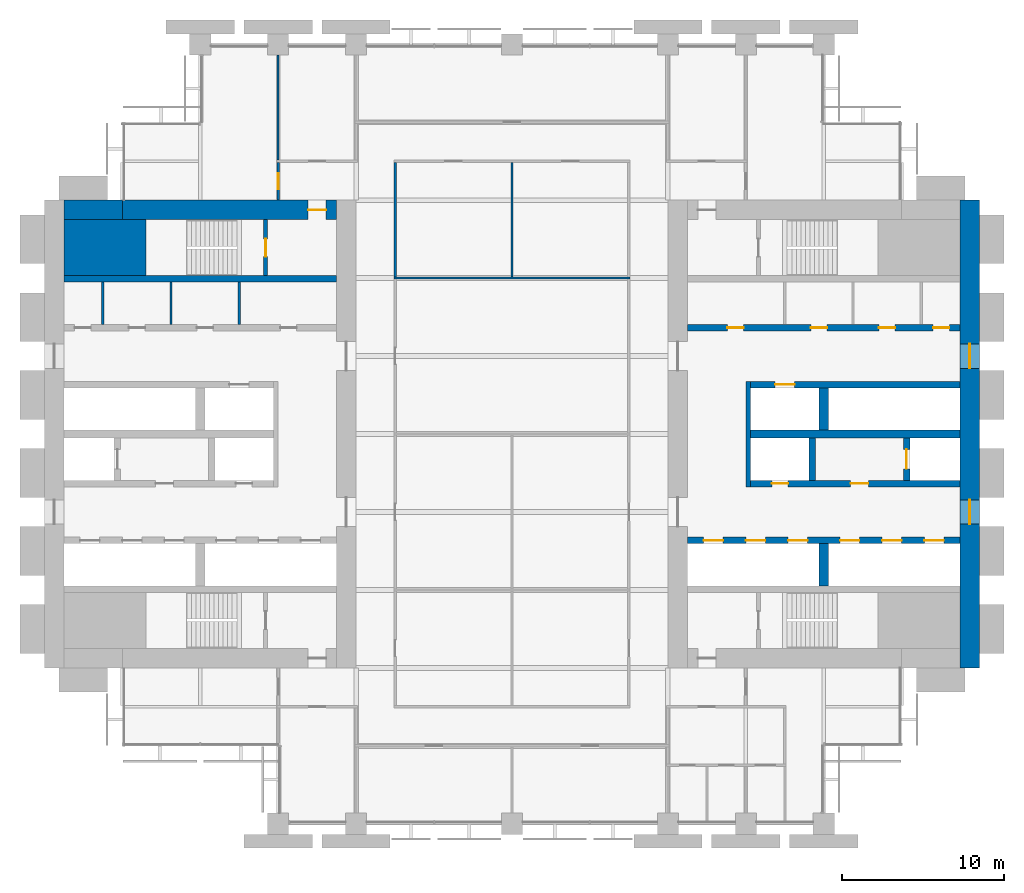
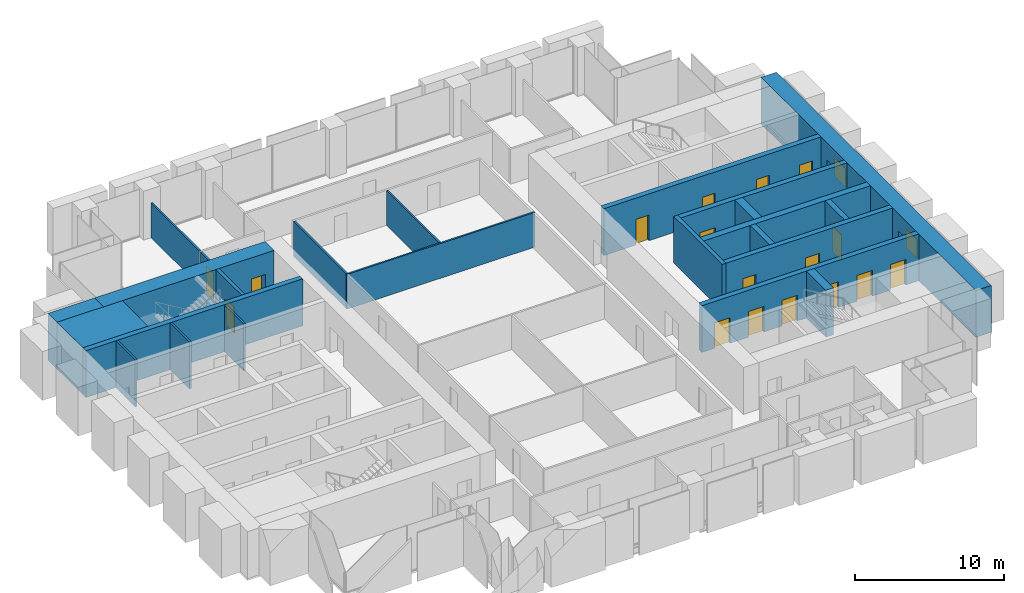
# One storey, part 11 of 14: 24 walls, 17 doors, 2 windows, 19 openings.
"""IFC4 building model written with IfcOpenShell, lengths in metres."""

from ifc_helpers import new_model, si_unit, direction, frame, frame_2d, origin, place, context, subcontext, project, spatial, rectangle, extrude, material, layer, layer_set, type_object, element, fill, save


model = new_model("IFC4")

# Units and contexts
model_context = context("Model", 3, precision=1e-05, world=origin(), true_north=direction((0.0, 1.0)))
body_context = subcontext(model_context, "Body", "Model", "MODEL_VIEW")
ifc_project = project(units=[si_unit("LENGTHUNIT", "METRE"), si_unit("AREAUNIT", "SQUARE_METRE"), si_unit("VOLUMEUNIT", "CUBIC_METRE"), si_unit("PLANEANGLEUNIT", "RADIAN"), si_unit("MASSUNIT", "GRAM", prefix="KILO")], contexts=[model_context])

# Site, building, storey
site_placement = place(None, origin())
site = spatial("IfcSite", under=ifc_project, at=site_placement, CompositionType="ELEMENT")
building_placement = place(site_placement, origin())
building = spatial("IfcBuilding", under=site, at=building_placement, Name="Baori Bourse Tower", CompositionType="ELEMENT")
storey_placement = place(building_placement, frame((0.0, 0.0, 43.0)))
storey = spatial("IfcBuildingStorey", under=building, at=storey_placement, Name="L08", CompositionType="ELEMENT", Elevation=43.0)

# Walls
ifc_material_1 = material(Name="Concrete f'c 70 MPa", Category="concrete")
wall_type_1 = type_object("IfcWallType", Name="Core corner block f'c 70", PredefinedType="SHEAR", material=ifc_material_1)
wall_1_placement = place(storey_placement, frame((1.199951171875, 35.47509765625, 0.0), z_axis=(0.0, 0.0, 1.0), x_axis=(1.0, 0.0, 0.0)))
element("IfcWall", 1, at=wall_1_placement, inside=storey, type_object=wall_type_1, Name="Core wall W22", PredefinedType="SHEAR", context=body_context, shape_type="SweptSolid", body=[
    extrude(rectangle(XDim=5.050048828125, YDim=3.449951171875, at=frame_2d((2.52490234375, 0.0))), origin(), (0.0, 0.0, 1.0), 3.840087890625),
])
ifc_material_2 = material(Name="Blockwork partition", Category="masonry")
ifc_layer_1 = layer(ifc_material_2, 0.14990234375)
ifc_layer_set_1 = layer_set([ifc_layer_1], Name="Core partition 150")
wall_type_2 = type_object("IfcWallType", Name="Core partition 150", PredefinedType="PARTITIONING", material=ifc_layer_set_1)
for number, where, z_axis, x_axis, name in (
    (2, (3.60009765625, 30.75, 0.0), (0.0, 0.0, 1.0), (0.0, 1.0, 0.0), "Partition wall W18"),
    (3, (7.800048828125, 30.75, 0.0), (0.0, 0.0, 1.0), (0.0, 1.0, 0.0), "Partition wall W19"),
    (4, (12.0, 30.75, 0.0), (0.0, 0.0, 1.0), (0.0, 1.0, 0.0), "Partition wall W20"),
):
    element("IfcWall", number, at=place(storey_placement, frame(where, z_axis=z_axis, x_axis=x_axis)), inside=storey, type_object=wall_type_2, Name=name, PredefinedType="PARTITIONING", context=body_context, shape_type="SweptSolid", body=[
        extrude(rectangle(XDim=2.60009765625, YDim=0.14990234375, at=frame_2d((1.300048828125, 0.0))), origin(), (0.0, 0.0, 1.0), 3.840087890625),
    ])
ifc_material_3 = material(Name="Concrete f'c 70 MPa", Category="concrete")
ifc_layer_2 = layer(ifc_material_3, 1.199951171875)
ifc_layer_set_2 = layer_set([ifc_layer_2], Name="Core wall 1200 f'c 70")
wall_type_3 = type_object("IfcWallType", Name="Core wall 1200 f'c 70", PredefinedType="SHEAR", material=ifc_layer_set_2)
wall_2_placement = place(storey_placement, frame((1.199951171875, 37.800048828125, 0.0), z_axis=(0.0, 0.0, 1.0), x_axis=(1.0, 0.0, 0.0)))
element("IfcWall", 5, at=wall_2_placement, inside=storey, type_object=wall_type_3, Name="Core wall W24", PredefinedType="SHEAR", context=body_context, shape_type="SweptSolid", body=[
    extrude(rectangle(XDim=3.60009765625, YDim=1.199951171875, at=frame_2d((1.800048828125, 0.0))), origin(), (0.0, 0.0, 1.0), 3.840087890625),
])

# Wall, opening, door
wall_3_placement = place(storey_placement, frame((4.800048828125, 37.800048828125, 0.0), z_axis=(0.0, 0.0, 1.0), x_axis=(1.0, 0.0, 0.0)))
wall_3 = element("IfcWall", 6, at=wall_3_placement, inside=storey, type_object=wall_type_3, Name="Core wall W25", PredefinedType="SHEAR", context=body_context, shape_type="SweptSolid", body=[
    extrude(rectangle(XDim=13.199951171875, YDim=1.199951171875, at=frame_2d((6.60009765625, 0.0))), origin(), (0.0, 0.0, 1.0), 3.840087890625),
])
opening_1_placement = place(wall_3_placement, frame((11.449951171875, 0.0, 0.0)))
opening_1 = element("IfcOpeningElement", 7, at=opening_1_placement, cuts=wall_3, Name="Opening L08-D104", PredefinedType="OPENING", context=body_context, shape_type="SweptSolid", body=[
    extrude(rectangle(XDim=1.10009765625, YDim=2.10009765625, at=frame_2d((0.550048828125, 1.050048828125))), frame((0.0, 0.60986328125, 0.0), z_axis=(0.0, -1.0, 0.0), x_axis=(1.0, 0.0, 0.0)), (0.0, 0.0, 1.0), 1.219970703125),
])
ifc_material_4 = material(Name="Painted steel door", Category="steel")
door_type_1 = type_object("IfcDoorType", Name="Stair door 1100", OperationType="SINGLE_SWING_LEFT", PredefinedType="DOOR", material=ifc_material_4)
door_1_placement = place(opening_1_placement, origin())
door_1 = element("IfcDoor", 8, at=door_1_placement, inside=storey, type_object=door_type_1, Name="Stair vestibule door B W L08", OperationType="SINGLE_SWING_LEFT", OverallHeight=2.10009765625, OverallWidth=1.10009765625, PredefinedType="DOOR", context=body_context, shape_type="SweptSolid", body=[
    extrude(rectangle(XDim=1.10009765625, YDim=2.10009765625, at=frame_2d((0.550048828125, 1.050048828125))), frame((0.0, 0.02490234375, 0.0), z_axis=(0.0, -1.0, 0.0), x_axis=(1.0, 0.0, 0.0)), (0.0, 0.0, 1.0), 0.050048828125),
])
fill(opening_1, door_1)

# Wall, openings, windows
wall_4_placement = place(storey_placement, frame((57.0, 38.39990234375, 0.0), z_axis=(0.0, 0.0, 1.0), x_axis=(0.0, -1.0, 0.0)))
wall_4 = element("IfcWall", 9, at=wall_4_placement, inside=storey, type_object=wall_type_3, Name="Core wall E01", PredefinedType="SHEAR", context=body_context, shape_type="SweptSolid", body=[
    extrude(rectangle(XDim=28.7998046875, YDim=1.199951171875, at=frame_2d((14.39990234375, 0.0))), origin(), (0.0, 0.0, 1.0), 3.840087890625),
])
opening_2_placement = place(wall_4_placement, frame((18.449951171875, 0.0, 0.89990234375)))
opening_2 = element("IfcOpeningElement", 10, at=opening_2_placement, cuts=wall_4, Name="Opening L08-KW201", PredefinedType="OPENING", context=body_context, shape_type="SweptSolid", body=[
    extrude(rectangle(XDim=1.5, YDim=1.5, at=frame_2d((0.75, 0.75))), frame((0.0, 0.60986328125, 0.0), z_axis=(0.0, -1.0, 0.0), x_axis=(1.0, 0.0, 0.0)), (0.0, 0.0, 1.0), 1.219970703125),
])
opening_3_placement = place(wall_4_placement, frame((8.85009765625, 0.0, 0.89990234375)))
opening_3 = element("IfcOpeningElement", 11, at=opening_3_placement, cuts=wall_4, Name="Opening L08-KW202", PredefinedType="OPENING", context=body_context, shape_type="SweptSolid", body=[
    extrude(rectangle(XDim=1.5, YDim=1.5, at=frame_2d((0.75, 0.75))), frame((0.0, 0.60986328125, 0.0), z_axis=(0.0, -1.0, 0.0), x_axis=(1.0, 0.0, 0.0)), (0.0, 0.0, 1.0), 1.219970703125),
])
ifc_material_5 = material(Name="Pale anodised aluminium", Category="aluminium")
window_type = type_object("IfcWindowType", Name="Lobby window 1500 x 1500", PartitioningType="SINGLE_PANEL", PredefinedType="WINDOW", material=ifc_material_5)
window_1_placement = place(opening_2_placement, origin())
window_1 = element("IfcWindow", 12, at=window_1_placement, inside=storey, type_object=window_type, Name="Outer wall window E L08 1", OverallHeight=1.5, OverallWidth=1.5, PartitioningType="SINGLE_PANEL", PredefinedType="WINDOW", context=body_context, shape_type="SweptSolid", body=[
    extrude(rectangle(XDim=1.5, YDim=1.5, at=frame_2d((0.75, 0.75))), frame((0.0, 0.030029296875, 0.0), z_axis=(0.0, -1.0, 0.0), x_axis=(1.0, 0.0, 0.0)), (0.0, 0.0, 1.0), 0.06005859375),
])
fill(opening_2, window_1)
window_2_placement = place(opening_3_placement, origin())
window_2 = element("IfcWindow", 13, at=window_2_placement, inside=storey, type_object=window_type, Name="Outer wall window E L08 2", OverallHeight=1.5, OverallWidth=1.5, PartitioningType="SINGLE_PANEL", PredefinedType="WINDOW", context=body_context, shape_type="SweptSolid", body=[
    extrude(rectangle(XDim=1.5, YDim=1.5, at=frame_2d((0.75, 0.75))), frame((0.0, 0.030029296875, 0.0), z_axis=(0.0, -1.0, 0.0), x_axis=(1.0, 0.0, 0.0)), (0.0, 0.0, 1.0), 0.06005859375),
])
fill(opening_3, window_2)

# Wall, opening, door
ifc_material_6 = material(Name="Gypsum board partition")
ifc_layer_3 = layer(ifc_material_6, 0.14990234375)
ifc_layer_set_3 = layer_set([ifc_layer_3], Name="Corridor partition 150")
wall_type_4 = type_object("IfcWallType", Name="Corridor partition 150", PredefinedType="PARTITIONING", material=ifc_layer_set_3)
wall_5_placement = place(storey_placement, frame((14.39990234375, 38.39990234375, 0.0), z_axis=(0.0, 0.0, 1.0), x_axis=(0.0, 1.0, 0.0)))
wall_5 = element("IfcWall", 14, at=wall_5_placement, inside=storey, type_object=wall_type_4, Name="Partition", PredefinedType="PARTITIONING", context=body_context, shape_type="SweptSolid", body=[
    extrude(rectangle(XDim=2.3251953125, YDim=0.14990234375, at=frame_2d((1.16259765625, 0.0))), origin(), (0.0, 0.0, 1.0), 2.849365234375),
])
opening_4_placement = place(wall_5_placement, frame((0.66259765625, 0.0, 0.0)))
opening_4 = element("IfcOpeningElement", 15, at=opening_4_placement, cuts=wall_5, Name="Opening L08-D14", PredefinedType="OPENING", context=body_context, shape_type="SweptSolid", body=[
    extrude(rectangle(XDim=1.0, YDim=2.10009765625, at=frame_2d((0.5, 1.050048828125))), frame((0.0, 0.0849609375, 0.0), z_axis=(0.0, -1.0, 0.0), x_axis=(1.0, 0.0, 0.0)), (0.0, 0.0, 1.0), 0.169921875),
])
ifc_material_7 = material(Name="Timber door leaf", Category="wood")
door_type_2 = type_object("IfcDoorType", Name="Door 1000 x 2100", OperationType="SINGLE_SWING_LEFT", PredefinedType="DOOR", material=ifc_material_7)
door_2_placement = place(opening_4_placement, origin())
door_2 = element("IfcDoor", 16, at=door_2_placement, inside=storey, type_object=door_type_2, Name="Door", OperationType="SINGLE_SWING_RIGHT", OverallHeight=2.10009765625, OverallWidth=1.0, PredefinedType="DOOR", context=body_context, shape_type="SweptSolid", body=[
    extrude(rectangle(XDim=1.0, YDim=2.10009765625, at=frame_2d((0.5, 1.050048828125))), frame((0.0, 0.02490234375, 0.0), z_axis=(0.0, -1.0, 0.0), x_axis=(1.0, 0.0, 0.0)), (0.0, 0.0, 1.0), 0.050048828125),
])
fill(opening_4, door_2)

# Walls
wall_6_placement = place(storey_placement, frame((21.60009765625, 33.66259765625, 0.0), z_axis=(0.0, 0.0, 1.0), x_axis=(0.0, 1.0, 0.0)))
element("IfcWall", 17, at=wall_6_placement, inside=storey, type_object=wall_type_4, Name="Partition", PredefinedType="PARTITIONING", context=body_context, shape_type="SweptSolid", body=[
    extrude(rectangle(XDim=7.0625, YDim=0.14990234375, at=frame_2d((3.53125, 0.0))), origin(), (0.0, 0.0, 1.0), 2.849365234375),
])
ifc_material_8 = material(Name="Gypsum board partition")
ifc_layer_4 = layer(ifc_material_8, 0.125)
ifc_layer_set_4 = layer_set([ifc_layer_4], Name="Partition 125")
wall_type_5 = type_object("IfcWallType", Name="Partition 125", PredefinedType="PARTITIONING", material=ifc_layer_set_4)
wall_7_placement = place(storey_placement, frame((21.52490234375, 33.60009765625, 0.0), z_axis=(0.0, 0.0, 1.0), x_axis=(1.0, 0.0, 0.0)))
element("IfcWall", 18, at=wall_7_placement, inside=storey, type_object=wall_type_5, Name="Partition", PredefinedType="PARTITIONING", context=body_context, shape_type="SweptSolid", body=[
    extrude(rectangle(XDim=14.550048828125, YDim=0.125, at=frame_2d((7.27490234375, 0.0))), origin(), (0.0, 0.0, 1.0), 2.849365234375),
])
wall_8_placement = place(storey_placement, frame((14.39990234375, 40.875, 0.0), z_axis=(0.0, 0.0, 1.0), x_axis=(0.0, 1.0, 0.0)))
element("IfcWall", 19, at=wall_8_placement, inside=storey, type_object=wall_type_5, Name="Partition", PredefinedType="PARTITIONING", context=body_context, shape_type="SweptSolid", body=[
    extrude(rectangle(XDim=6.47509765625, YDim=0.125, at=frame_2d((3.237548828125, 0.0))), origin(), (0.0, 0.0, 1.0), 2.849365234375),
])
wall_9_placement = place(storey_placement, frame((28.800048828125, 33.66259765625, 0.0), z_axis=(0.0, 0.0, 1.0), x_axis=(0.0, 1.0, 0.0)))
element("IfcWall", 20, at=wall_9_placement, inside=storey, type_object=wall_type_5, Name="Partition", PredefinedType="PARTITIONING", context=body_context, shape_type="SweptSolid", body=[
    extrude(rectangle(XDim=7.0625, YDim=0.125, at=frame_2d((3.53125, 0.0))), origin(), (0.0, 0.0, 1.0), 2.849365234375),
])

# Wall, opening, door
ifc_material_9 = material(Name="Concrete f'c 70 MPa", Category="concrete")
ifc_layer_5 = layer(ifc_material_9, 0.25)
ifc_layer_set_5 = layer_set([ifc_layer_5], Name="Shaft wall 250 f'c 70")
wall_type_6 = type_object("IfcWallType", Name="Shaft wall 250 f'c 70", PredefinedType="SHEAR", material=ifc_layer_set_5)
wall_10_placement = place(storey_placement, frame((13.625, 33.75, 0.0), z_axis=(0.0, 0.0, 1.0), x_axis=(0.0, 1.0, 0.0)))
wall_10 = element("IfcWall", 21, at=wall_10_placement, inside=storey, type_object=wall_type_6, Name="Core wall W23", PredefinedType="SHEAR", context=body_context, shape_type="SweptSolid", body=[
    extrude(rectangle(XDim=3.449951171875, YDim=0.25, at=frame_2d((1.72509765625, 0.0))), origin(), (0.0, 0.0, 1.0), 3.840087890625),
])
opening_5_placement = place(wall_10_placement, frame((1.175048828125, 0.0, 0.0)))
opening_5 = element("IfcOpeningElement", 22, at=opening_5_placement, cuts=wall_10, Name="Opening L08-D103", PredefinedType="OPENING", context=body_context, shape_type="SweptSolid", body=[
    extrude(rectangle(XDim=1.10009765625, YDim=2.10009765625, at=frame_2d((0.550048828125, 1.050048828125))), frame((0.0, 0.135009765625, 0.0), z_axis=(0.0, -1.0, 0.0), x_axis=(1.0, 0.0, 0.0)), (0.0, 0.0, 1.0), 0.27001953125),
])
door_3_placement = place(opening_5_placement, origin())
door_3 = element("IfcDoor", 23, at=door_3_placement, inside=storey, type_object=door_type_1, Name="Stair door B W L08", OperationType="SINGLE_SWING_LEFT", OverallHeight=2.10009765625, OverallWidth=1.10009765625, PredefinedType="DOOR", context=body_context, shape_type="SweptSolid", body=[
    extrude(rectangle(XDim=1.10009765625, YDim=2.10009765625, at=frame_2d((0.550048828125, 1.050048828125))), frame((0.0, 0.02490234375, 0.0), z_axis=(0.0, -1.0, 0.0), x_axis=(1.0, 0.0, 0.0)), (0.0, 0.0, 1.0), 0.050048828125),
])
fill(opening_5, door_3)

# Walls
ifc_material_10 = material(Name="Concrete f'c 70 MPa", Category="concrete")
ifc_layer_6 = layer(ifc_material_10, 0.300048828125)
ifc_layer_set_6 = layer_set([ifc_layer_6], Name="Shaft wall 300 f'c 70")
wall_type_7 = type_object("IfcWallType", Name="Shaft wall 300 f'c 70", PredefinedType="SHEAR", material=ifc_layer_set_6)
wall_11_placement = place(storey_placement, frame((43.35009765625, 20.75, 0.0), z_axis=(0.0, 0.0, 1.0), x_axis=(0.0, 1.0, 0.0)))
element("IfcWall", 24, at=wall_11_placement, inside=storey, type_object=wall_type_7, Name="Core wall E11", PredefinedType="SHEAR", context=body_context, shape_type="SweptSolid", body=[
    extrude(rectangle(XDim=6.5, YDim=0.300048828125, at=frame_2d((3.25, 0.0))), origin(), (0.0, 0.0, 1.0), 3.840087890625),
])
ifc_material_11 = material(Name="Concrete f'c 70 MPa", Category="concrete")
ifc_layer_7 = layer(ifc_material_11, 0.39990234375)
ifc_layer_set_7 = layer_set([ifc_layer_7], Name="Shaft wall 400 f'c 70")
wall_type_8 = type_object("IfcWallType", Name="Shaft wall 400 f'c 70", PredefinedType="SHEAR", material=ifc_layer_set_7)
wall_12_placement = place(storey_placement, frame((1.199951171875, 33.550048828125, 0.0), z_axis=(0.0, 0.0, 1.0), x_axis=(1.0, 0.0, 0.0)))
element("IfcWall", 25, at=wall_12_placement, inside=storey, type_object=wall_type_8, Name="Core wall W21", PredefinedType="SHEAR", context=body_context, shape_type="SweptSolid", body=[
    extrude(rectangle(XDim=16.800048828125, YDim=0.39990234375, at=frame_2d((8.39990234375, 0.0))), origin(), (0.0, 0.0, 1.0), 3.840087890625),
])

# Wall, openings, doors
wall_13_placement = place(storey_placement, frame((39.60009765625, 17.449951171875, 0.0), z_axis=(0.0, 0.0, 1.0), x_axis=(1.0, 0.0, 0.0)))
wall_13 = element("IfcWall", 26, at=wall_13_placement, inside=storey, type_object=wall_type_8, Name="Core wall E09", PredefinedType="SHEAR", context=body_context, shape_type="SweptSolid", body=[
    extrude(rectangle(XDim=16.7998046875, YDim=0.39990234375, at=frame_2d((8.39990234375, 0.0))), origin(), (0.0, 0.0, 1.0), 3.840087890625),
])
opening_6_placement = place(wall_13_placement, frame((14.60009765625, 0.0, 0.0)))
opening_6 = element("IfcOpeningElement", 27, at=opening_6_placement, cuts=wall_13, Name="Opening L08-D213", PredefinedType="OPENING", context=body_context, shape_type="SweptSolid", body=[
    extrude(rectangle(XDim=1.199951171875, YDim=2.10009765625, at=frame_2d((0.60009765625, 1.050048828125))), frame((0.0, 0.2099609375, 0.0), z_axis=(0.0, -1.0, 0.0), x_axis=(1.0, 0.0, 0.0)), (0.0, 0.0, 1.0), 0.419921875),
])
opening_7_placement = place(wall_13_placement, frame((12.0, 0.0, 0.0)))
opening_7 = element("IfcOpeningElement", 28, at=opening_7_placement, cuts=wall_13, Name="Opening L08-D214", PredefinedType="OPENING", context=body_context, shape_type="SweptSolid", body=[
    extrude(rectangle(XDim=1.199951171875, YDim=2.10009765625, at=frame_2d((0.60009765625, 1.050048828125))), frame((0.0, 0.2099609375, 0.0), z_axis=(0.0, -1.0, 0.0), x_axis=(1.0, 0.0, 0.0)), (0.0, 0.0, 1.0), 0.419921875),
])
opening_8_placement = place(wall_13_placement, frame((9.39990234375, 0.0, 0.0)))
opening_8 = element("IfcOpeningElement", 29, at=opening_8_placement, cuts=wall_13, Name="Opening L08-D215", PredefinedType="OPENING", context=body_context, shape_type="SweptSolid", body=[
    extrude(rectangle(XDim=1.199951171875, YDim=2.10009765625, at=frame_2d((0.60009765625, 1.050048828125))), frame((0.0, 0.2099609375, 0.0), z_axis=(0.0, -1.0, 0.0), x_axis=(1.0, 0.0, 0.0)), (0.0, 0.0, 1.0), 0.419921875),
])
opening_9_placement = place(wall_13_placement, frame((6.199951171875, 0.0, 0.0)))
opening_9 = element("IfcOpeningElement", 30, at=opening_9_placement, cuts=wall_13, Name="Opening L08-D216", PredefinedType="OPENING", context=body_context, shape_type="SweptSolid", body=[
    extrude(rectangle(XDim=1.199951171875, YDim=2.10009765625, at=frame_2d((0.60009765625, 1.050048828125))), frame((0.0, 0.2099609375, 0.0), z_axis=(0.0, -1.0, 0.0), x_axis=(1.0, 0.0, 0.0)), (0.0, 0.0, 1.0), 0.419921875),
])
opening_10_placement = place(wall_13_placement, frame((3.60009765625, 0.0, 0.0)))
opening_10 = element("IfcOpeningElement", 31, at=opening_10_placement, cuts=wall_13, Name="Opening L08-D217", PredefinedType="OPENING", context=body_context, shape_type="SweptSolid", body=[
    extrude(rectangle(XDim=1.199951171875, YDim=2.10009765625, at=frame_2d((0.60009765625, 1.050048828125))), frame((0.0, 0.2099609375, 0.0), z_axis=(0.0, -1.0, 0.0), x_axis=(1.0, 0.0, 0.0)), (0.0, 0.0, 1.0), 0.419921875),
])
opening_11_placement = place(wall_13_placement, frame((1.0, 0.0, 0.0)))
opening_11 = element("IfcOpeningElement", 32, at=opening_11_placement, cuts=wall_13, Name="Opening L08-D218", PredefinedType="OPENING", context=body_context, shape_type="SweptSolid", body=[
    extrude(rectangle(XDim=1.199951171875, YDim=2.10009765625, at=frame_2d((0.60009765625, 1.050048828125))), frame((0.0, 0.2099609375, 0.0), z_axis=(0.0, -1.0, 0.0), x_axis=(1.0, 0.0, 0.0)), (0.0, 0.0, 1.0), 0.419921875),
])
ifc_material_12 = material(Name="Stainless steel door", Category="steel")
door_type_3 = type_object("IfcDoorType", Name="Lift landing door", OperationType="DOUBLE_DOOR_SLIDING", PredefinedType="DOOR", material=ifc_material_12)
door_4_placement = place(opening_6_placement, origin())
door_4 = element("IfcDoor", 33, at=door_4_placement, inside=storey, type_object=door_type_3, Name="Lift landing door LR1 E L08", OperationType="DOUBLE_DOOR_SLIDING", OverallHeight=2.10009765625, OverallWidth=1.199951171875, PredefinedType="DOOR", context=body_context, shape_type="SweptSolid", body=[
    extrude(rectangle(XDim=1.199951171875, YDim=2.10009765625, at=frame_2d((0.60009765625, 1.050048828125))), frame((0.0, 0.02490234375, 0.0), z_axis=(0.0, -1.0, 0.0), x_axis=(1.0, 0.0, 0.0)), (0.0, 0.0, 1.0), 0.050048828125),
])
fill(opening_6, door_4)
door_5_placement = place(opening_7_placement, origin())
door_5 = element("IfcDoor", 34, at=door_5_placement, inside=storey, type_object=door_type_3, Name="Lift landing door LR2 E L08", OperationType="DOUBLE_DOOR_SLIDING", OverallHeight=2.10009765625, OverallWidth=1.199951171875, PredefinedType="DOOR", context=body_context, shape_type="SweptSolid", body=[
    extrude(rectangle(XDim=1.199951171875, YDim=2.10009765625, at=frame_2d((0.60009765625, 1.050048828125))), frame((0.0, 0.02490234375, 0.0), z_axis=(0.0, -1.0, 0.0), x_axis=(1.0, 0.0, 0.0)), (0.0, 0.0, 1.0), 0.050048828125),
])
fill(opening_7, door_5)
door_6_placement = place(opening_8_placement, origin())
door_6 = element("IfcDoor", 35, at=door_6_placement, inside=storey, type_object=door_type_3, Name="Lift landing door LR3 E L08", OperationType="DOUBLE_DOOR_SLIDING", OverallHeight=2.10009765625, OverallWidth=1.199951171875, PredefinedType="DOOR", context=body_context, shape_type="SweptSolid", body=[
    extrude(rectangle(XDim=1.199951171875, YDim=2.10009765625, at=frame_2d((0.60009765625, 1.050048828125))), frame((0.0, 0.02490234375, 0.0), z_axis=(0.0, -1.0, 0.0), x_axis=(1.0, 0.0, 0.0)), (0.0, 0.0, 1.0), 0.050048828125),
])
fill(opening_8, door_6)
door_7_placement = place(opening_9_placement, origin())
door_7 = element("IfcDoor", 36, at=door_7_placement, inside=storey, type_object=door_type_3, Name="Lift landing door LR4 E L08", OperationType="DOUBLE_DOOR_SLIDING", OverallHeight=2.10009765625, OverallWidth=1.199951171875, PredefinedType="DOOR", context=body_context, shape_type="SweptSolid", body=[
    extrude(rectangle(XDim=1.199951171875, YDim=2.10009765625, at=frame_2d((0.60009765625, 1.050048828125))), frame((0.0, 0.02490234375, 0.0), z_axis=(0.0, -1.0, 0.0), x_axis=(1.0, 0.0, 0.0)), (0.0, 0.0, 1.0), 0.050048828125),
])
fill(opening_9, door_7)
door_8_placement = place(opening_10_placement, origin())
door_8 = element("IfcDoor", 37, at=door_8_placement, inside=storey, type_object=door_type_3, Name="Lift landing door LR5 E L08", OperationType="DOUBLE_DOOR_SLIDING", OverallHeight=2.10009765625, OverallWidth=1.199951171875, PredefinedType="DOOR", context=body_context, shape_type="SweptSolid", body=[
    extrude(rectangle(XDim=1.199951171875, YDim=2.10009765625, at=frame_2d((0.60009765625, 1.050048828125))), frame((0.0, 0.02490234375, 0.0), z_axis=(0.0, -1.0, 0.0), x_axis=(1.0, 0.0, 0.0)), (0.0, 0.0, 1.0), 0.050048828125),
])
fill(opening_10, door_8)
door_9_placement = place(opening_11_placement, origin())
door_9 = element("IfcDoor", 38, at=door_9_placement, inside=storey, type_object=door_type_3, Name="Lift landing door LR6 E L08", OperationType="DOUBLE_DOOR_SLIDING", OverallHeight=2.10009765625, OverallWidth=1.199951171875, PredefinedType="DOOR", context=body_context, shape_type="SweptSolid", body=[
    extrude(rectangle(XDim=1.199951171875, YDim=2.10009765625, at=frame_2d((0.60009765625, 1.050048828125))), frame((0.0, 0.02490234375, 0.0), z_axis=(0.0, -1.0, 0.0), x_axis=(1.0, 0.0, 0.0)), (0.0, 0.0, 1.0), 0.050048828125),
])
fill(opening_11, door_9)

wall_14_placement = place(storey_placement, frame((43.5, 20.949951171875, 0.0), z_axis=(0.0, 0.0, 1.0), x_axis=(1.0, 0.0, 0.0)))
wall_14 = element("IfcWall", 39, at=wall_14_placement, inside=storey, type_object=wall_type_8, Name="Core wall E10", PredefinedType="SHEAR", context=body_context, shape_type="SweptSolid", body=[
    extrude(rectangle(XDim=12.89990234375, YDim=0.39990234375, at=frame_2d((6.449951171875, 0.0))), origin(), (0.0, 0.0, 1.0), 3.840087890625),
])
opening_12_placement = place(wall_14_placement, frame((6.14990234375, 0.0, 0.0)))
opening_12 = element("IfcOpeningElement", 40, at=opening_12_placement, cuts=wall_14, Name="Opening L08-D205", PredefinedType="OPENING", context=body_context, shape_type="SweptSolid", body=[
    extrude(rectangle(XDim=1.10009765625, YDim=2.10009765625, at=frame_2d((0.550048828125, 1.050048828125))), frame((0.0, 0.2099609375, 0.0), z_axis=(0.0, -1.0, 0.0), x_axis=(1.0, 0.0, 0.0)), (0.0, 0.0, 1.0), 0.419921875),
])
opening_13_placement = place(wall_14_placement, frame((1.300048828125, 0.0, 0.0)))
opening_13 = element("IfcOpeningElement", 41, at=opening_13_placement, cuts=wall_14, Name="Opening L08-D206", PredefinedType="OPENING", context=body_context, shape_type="SweptSolid", body=[
    extrude(rectangle(XDim=1.0, YDim=2.10009765625, at=frame_2d((0.5, 1.050048828125))), frame((0.0, 0.2099609375, 0.0), z_axis=(0.0, -1.0, 0.0), x_axis=(1.0, 0.0, 0.0)), (0.0, 0.0, 1.0), 0.419921875),
])
ifc_material_13 = material(Name="Painted steel door", Category="steel")
door_type_4 = type_object("IfcDoorType", Name="Lobby door 1100", OperationType="SINGLE_SWING_LEFT", PredefinedType="DOOR", material=ifc_material_13)
door_10_placement = place(opening_12_placement, origin())
door_10 = element("IfcDoor", 42, at=door_10_placement, inside=storey, type_object=door_type_4, Name="Firefighting lobby door E L08", OperationType="SINGLE_SWING_LEFT", OverallHeight=2.10009765625, OverallWidth=1.10009765625, PredefinedType="DOOR", context=body_context, shape_type="SweptSolid", body=[
    extrude(rectangle(XDim=1.10009765625, YDim=2.10009765625, at=frame_2d((0.550048828125, 1.050048828125))), frame((0.0, 0.02490234375, 0.0), z_axis=(0.0, -1.0, 0.0), x_axis=(1.0, 0.0, 0.0)), (0.0, 0.0, 1.0), 0.050048828125),
])
fill(opening_12, door_10)
ifc_material_14 = material(Name="Painted steel door", Category="steel")
door_type_5 = type_object("IfcDoorType", Name="Shaft door 1000", OperationType="SINGLE_SWING_LEFT", PredefinedType="DOOR", material=ifc_material_14)
door_11_placement = place(opening_13_placement, origin())
door_11 = element("IfcDoor", 43, at=door_11_placement, inside=storey, type_object=door_type_5, Name="Riser room door E L08", OperationType="SINGLE_SWING_LEFT", OverallHeight=2.10009765625, OverallWidth=1.0, PredefinedType="DOOR", context=body_context, shape_type="SweptSolid", body=[
    extrude(rectangle(XDim=1.0, YDim=2.10009765625, at=frame_2d((0.5, 1.050048828125))), frame((0.0, 0.02490234375, 0.0), z_axis=(0.0, -1.0, 0.0), x_axis=(1.0, 0.0, 0.0)), (0.0, 0.0, 1.0), 0.050048828125),
])
fill(opening_13, door_11)

# Wall, opening, door
wall_15_placement = place(storey_placement, frame((53.10009765625, 21.14990234375, 0.0), z_axis=(0.0, 0.0, 1.0), x_axis=(0.0, 1.0, 0.0)))
wall_15 = element("IfcWall", 44, at=wall_15_placement, inside=storey, type_object=wall_type_8, Name="Core wall E12", PredefinedType="SHEAR", context=body_context, shape_type="SweptSolid", body=[
    extrude(rectangle(XDim=2.60009765625, YDim=0.39990234375, at=frame_2d((1.300048828125, 0.0))), origin(), (0.0, 0.0, 1.0), 3.840087890625),
])
opening_14_placement = place(wall_15_placement, frame((0.699951171875, 0.0, 0.0)))
opening_14 = element("IfcOpeningElement", 45, at=opening_14_placement, cuts=wall_15, Name="Opening L08-D220", PredefinedType="OPENING", context=body_context, shape_type="SweptSolid", body=[
    extrude(rectangle(XDim=1.199951171875, YDim=2.10009765625, at=frame_2d((0.60009765625, 1.050048828125))), frame((0.0, 0.2099609375, 0.0), z_axis=(0.0, -1.0, 0.0), x_axis=(1.0, 0.0, 0.0)), (0.0, 0.0, 1.0), 0.419921875),
])
door_12_placement = place(opening_14_placement, origin())
door_12 = element("IfcDoor", 46, at=door_12_placement, inside=storey, type_object=door_type_3, Name="Lift landing door FF2 E L08", OperationType="DOUBLE_DOOR_SLIDING", OverallHeight=2.10009765625, OverallWidth=1.199951171875, PredefinedType="DOOR", context=body_context, shape_type="SweptSolid", body=[
    extrude(rectangle(XDim=1.199951171875, YDim=2.10009765625, at=frame_2d((0.60009765625, 1.050048828125))), frame((0.0, 0.02490234375, 0.0), z_axis=(0.0, -1.0, 0.0), x_axis=(1.0, 0.0, 0.0)), (0.0, 0.0, 1.0), 0.050048828125),
])
fill(opening_14, door_12)

# Wall
wall_16_placement = place(storey_placement, frame((47.300048828125, 21.14990234375, 0.0), z_axis=(0.0, 0.0, 1.0), x_axis=(0.0, 1.0, 0.0)))
element("IfcWall", 47, at=wall_16_placement, inside=storey, type_object=wall_type_8, Name="Core wall E13", PredefinedType="SHEAR", context=body_context, shape_type="SweptSolid", body=[
    extrude(rectangle(XDim=2.60009765625, YDim=0.39990234375, at=frame_2d((1.300048828125, 0.0))), origin(), (0.0, 0.0, 1.0), 3.840087890625),
])

# Wall, opening, door
wall_17_placement = place(storey_placement, frame((43.5, 27.050048828125, 0.0), z_axis=(0.0, 0.0, 1.0), x_axis=(1.0, 0.0, 0.0)))
wall_17 = element("IfcWall", 48, at=wall_17_placement, inside=storey, type_object=wall_type_8, Name="Core wall E16", PredefinedType="SHEAR", context=body_context, shape_type="SweptSolid", body=[
    extrude(rectangle(XDim=12.89990234375, YDim=0.39990234375, at=frame_2d((6.449951171875, 0.0))), origin(), (0.0, 0.0, 1.0), 3.840087890625),
])
opening_15_placement = place(wall_17_placement, frame((1.5, 0.0, 0.0)))
opening_15 = element("IfcOpeningElement", 49, at=opening_15_placement, cuts=wall_17, Name="Opening L08-D219", PredefinedType="OPENING", context=body_context, shape_type="SweptSolid", body=[
    extrude(rectangle(XDim=1.199951171875, YDim=2.10009765625, at=frame_2d((0.60009765625, 1.050048828125))), frame((0.0, 0.2099609375, 0.0), z_axis=(0.0, -1.0, 0.0), x_axis=(1.0, 0.0, 0.0)), (0.0, 0.0, 1.0), 0.419921875),
])
door_13_placement = place(opening_15_placement, origin())
door_13 = element("IfcDoor", 50, at=door_13_placement, inside=storey, type_object=door_type_3, Name="Lift landing door SV1 E L08", OperationType="DOUBLE_DOOR_SLIDING", OverallHeight=2.10009765625, OverallWidth=1.199951171875, PredefinedType="DOOR", context=body_context, shape_type="SweptSolid", body=[
    extrude(rectangle(XDim=1.199951171875, YDim=2.10009765625, at=frame_2d((0.60009765625, 1.050048828125))), frame((0.0, 0.02490234375, 0.0), z_axis=(0.0, -1.0, 0.0), x_axis=(1.0, 0.0, 0.0)), (0.0, 0.0, 1.0), 0.050048828125),
])
fill(opening_15, door_13)

# Wall, openings, doors
wall_18_placement = place(storey_placement, frame((39.60009765625, 30.550048828125, 0.0), z_axis=(0.0, 0.0, 1.0), x_axis=(1.0, 0.0, 0.0)))
wall_18 = element("IfcWall", 51, at=wall_18_placement, inside=storey, type_object=wall_type_8, Name="Core wall E17", PredefinedType="SHEAR", context=body_context, shape_type="SweptSolid", body=[
    extrude(rectangle(XDim=16.7998046875, YDim=0.39990234375, at=frame_2d((8.39990234375, 0.0))), origin(), (0.0, 0.0, 1.0), 3.840087890625),
])
opening_16_placement = place(wall_18_placement, frame((15.137451171875, 0.0, 0.0)))
opening_16 = element("IfcOpeningElement", 52, at=opening_16_placement, cuts=wall_18, Name="Opening L08-D209", PredefinedType="OPENING", context=body_context, shape_type="SweptSolid", body=[
    extrude(rectangle(XDim=1.0, YDim=2.10009765625, at=frame_2d((0.5, 1.050048828125))), frame((0.0, 0.2099609375, 0.0), z_axis=(0.0, -1.0, 0.0), x_axis=(1.0, 0.0, 0.0)), (0.0, 0.0, 1.0), 0.419921875),
])
opening_17_placement = place(wall_18_placement, frame((11.800048828125, 0.0, 0.0)))
opening_17 = element("IfcOpeningElement", 53, at=opening_17_placement, cuts=wall_18, Name="Opening L08-D210", PredefinedType="OPENING", context=body_context, shape_type="SweptSolid", body=[
    extrude(rectangle(XDim=1.0, YDim=2.10009765625, at=frame_2d((0.5, 1.050048828125))), frame((0.0, 0.2099609375, 0.0), z_axis=(0.0, -1.0, 0.0), x_axis=(1.0, 0.0, 0.0)), (0.0, 0.0, 1.0), 0.419921875),
])
opening_18_placement = place(wall_18_placement, frame((7.60009765625, 0.0, 0.0)))
opening_18 = element("IfcOpeningElement", 54, at=opening_18_placement, cuts=wall_18, Name="Opening L08-D211", PredefinedType="OPENING", context=body_context, shape_type="SweptSolid", body=[
    extrude(rectangle(XDim=1.0, YDim=2.10009765625, at=frame_2d((0.5, 1.050048828125))), frame((0.0, 0.2099609375, 0.0), z_axis=(0.0, -1.0, 0.0), x_axis=(1.0, 0.0, 0.0)), (0.0, 0.0, 1.0), 0.419921875),
])
opening_19_placement = place(wall_18_placement, frame((2.46240234375, 0.0, 0.0)))
opening_19 = element("IfcOpeningElement", 55, at=opening_19_placement, cuts=wall_18, Name="Opening L08-D212", PredefinedType="OPENING", context=body_context, shape_type="SweptSolid", body=[
    extrude(rectangle(XDim=1.0, YDim=2.10009765625, at=frame_2d((0.5, 1.050048828125))), frame((0.0, 0.2099609375, 0.0), z_axis=(0.0, -1.0, 0.0), x_axis=(1.0, 0.0, 0.0)), (0.0, 0.0, 1.0), 0.419921875),
])
ifc_material_15 = material(Name="Painted steel door", Category="steel")
door_type_6 = type_object("IfcDoorType", Name="Core door 1000", OperationType="SINGLE_SWING_LEFT", PredefinedType="DOOR", material=ifc_material_15)
door_14_placement = place(opening_16_placement, origin())
door_14 = element("IfcDoor", 56, at=door_14_placement, inside=storey, type_object=door_type_6, Name="Janitor'S Closet door E L08", OperationType="SINGLE_SWING_LEFT", OverallHeight=2.10009765625, OverallWidth=1.0, PredefinedType="DOOR", context=body_context, shape_type="SweptSolid", body=[
    extrude(rectangle(XDim=1.0, YDim=2.10009765625, at=frame_2d((0.5, 1.050048828125))), frame((0.0, 0.02490234375, 0.0), z_axis=(0.0, -1.0, 0.0), x_axis=(1.0, 0.0, 0.0)), (0.0, 0.0, 1.0), 0.050048828125),
])
fill(opening_16, door_14)
door_15_placement = place(opening_17_placement, origin())
door_15 = element("IfcDoor", 57, at=door_15_placement, inside=storey, type_object=door_type_6, Name="Women'S Wc door E L08", OperationType="SINGLE_SWING_LEFT", OverallHeight=2.10009765625, OverallWidth=1.0, PredefinedType="DOOR", context=body_context, shape_type="SweptSolid", body=[
    extrude(rectangle(XDim=1.0, YDim=2.10009765625, at=frame_2d((0.5, 1.050048828125))), frame((0.0, 0.02490234375, 0.0), z_axis=(0.0, -1.0, 0.0), x_axis=(1.0, 0.0, 0.0)), (0.0, 0.0, 1.0), 0.050048828125),
])
fill(opening_17, door_15)
door_16_placement = place(opening_18_placement, origin())
door_16 = element("IfcDoor", 58, at=door_16_placement, inside=storey, type_object=door_type_6, Name="Accessible Wc door E L08", OperationType="SINGLE_SWING_LEFT", OverallHeight=2.10009765625, OverallWidth=1.0, PredefinedType="DOOR", context=body_context, shape_type="SweptSolid", body=[
    extrude(rectangle(XDim=1.0, YDim=2.10009765625, at=frame_2d((0.5, 1.050048828125))), frame((0.0, 0.02490234375, 0.0), z_axis=(0.0, -1.0, 0.0), x_axis=(1.0, 0.0, 0.0)), (0.0, 0.0, 1.0), 0.050048828125),
])
fill(opening_18, door_16)
door_17_placement = place(opening_19_placement, origin())
door_17 = element("IfcDoor", 59, at=door_17_placement, inside=storey, type_object=door_type_6, Name="Men'S Wc door E L08", OperationType="SINGLE_SWING_LEFT", OverallHeight=2.10009765625, OverallWidth=1.0, PredefinedType="DOOR", context=body_context, shape_type="SweptSolid", body=[
    extrude(rectangle(XDim=1.0, YDim=2.10009765625, at=frame_2d((0.5, 1.050048828125))), frame((0.0, 0.02490234375, 0.0), z_axis=(0.0, -1.0, 0.0), x_axis=(1.0, 0.0, 0.0)), (0.0, 0.0, 1.0), 0.050048828125),
])
fill(opening_19, door_17)

# Walls
ifc_material_16 = material(Name="Concrete f'c 70 MPa", Category="concrete")
ifc_layer_8 = layer(ifc_material_16, 0.5)
ifc_layer_set_8 = layer_set([ifc_layer_8], Name="Shaft wall 500 f'c 70")
wall_type_9 = type_object("IfcWallType", Name="Shaft wall 500 f'c 70", PredefinedType="SHEAR", material=ifc_layer_set_8)
wall_19_placement = place(storey_placement, frame((43.5, 24.0, 0.0), z_axis=(0.0, 0.0, 1.0), x_axis=(1.0, 0.0, 0.0)))
element("IfcWall", 60, at=wall_19_placement, inside=storey, type_object=wall_type_9, Name="Core wall E14", PredefinedType="SHEAR", context=body_context, shape_type="SweptSolid", body=[
    extrude(rectangle(XDim=12.89990234375, YDim=0.5, at=frame_2d((6.449951171875, 0.0))), origin(), (0.0, 0.0, 1.0), 3.840087890625),
])
ifc_material_17 = material(Name="Concrete f'c 70 MPa", Category="concrete")
ifc_layer_9 = layer(ifc_material_17, 0.60009765625)
ifc_layer_set_9 = layer_set([ifc_layer_9], Name="Shaft wall 600 f'c 70")
wall_type_10 = type_object("IfcWallType", Name="Shaft wall 600 f'c 70", PredefinedType="SHEAR", material=ifc_layer_set_9)
for number, where, z_axis, x_axis, name in (
    (61, (48.0, 14.64990234375, 0.0), (0.0, 0.0, 1.0), (0.0, 1.0, 0.0), "Core wall E08"),
    (62, (48.0, 24.25, 0.0), (0.0, 0.0, 1.0), (0.0, 1.0, 0.0), "Core wall E15"),
):
    element("IfcWall", number, at=place(storey_placement, frame(where, z_axis=z_axis, x_axis=x_axis)), inside=storey, type_object=wall_type_10, Name=name, PredefinedType="SHEAR", context=body_context, shape_type="SweptSolid", body=[
        extrude(rectangle(XDim=2.60009765625, YDim=0.60009765625, at=frame_2d((1.300048828125, 0.0))), origin(), (0.0, 0.0, 1.0), 3.840087890625),
    ])

save(model, "model.ifc")
